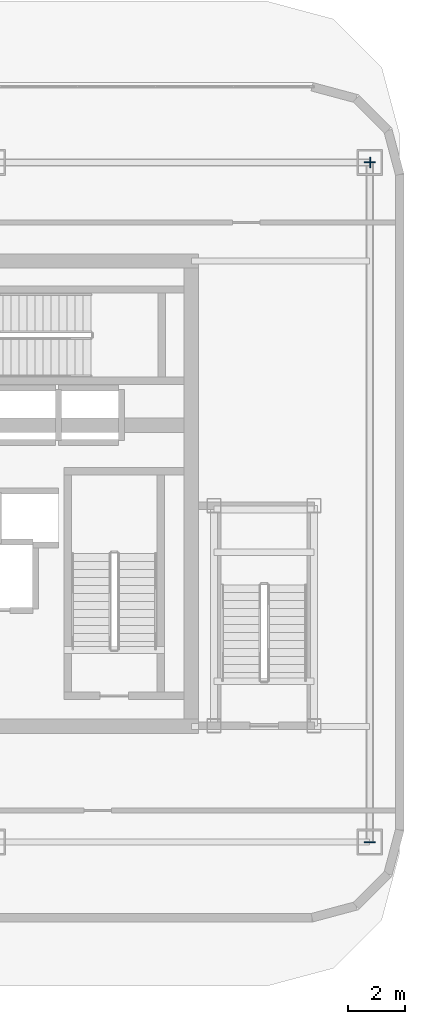
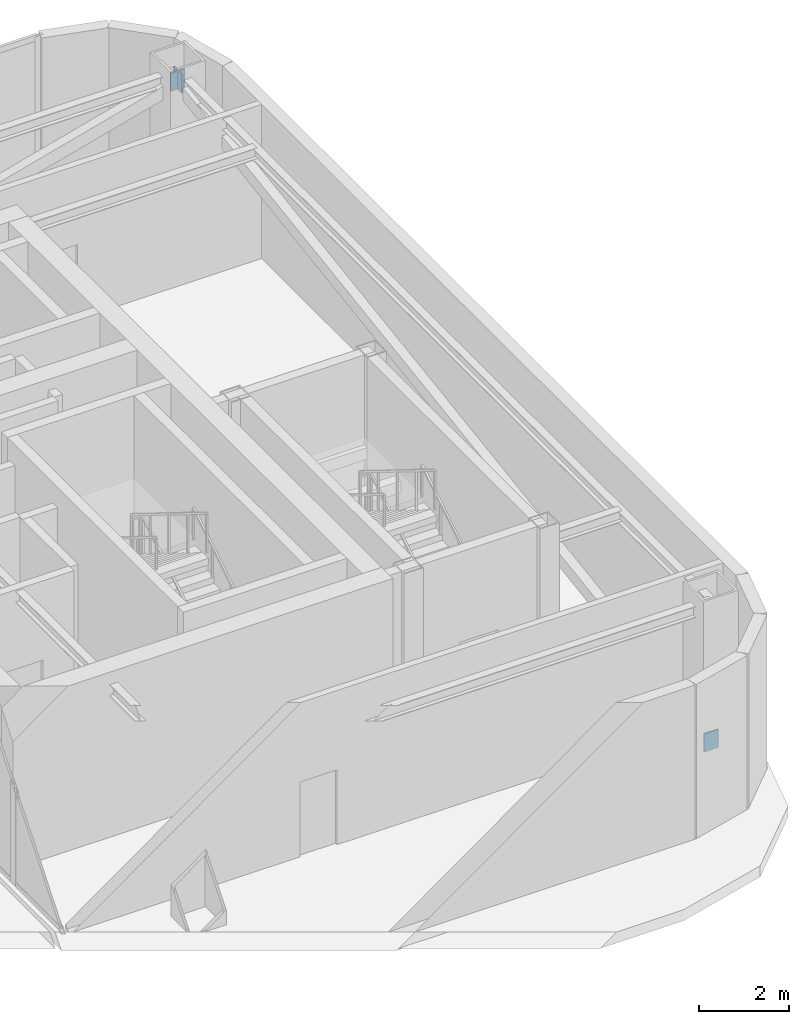
# One storey, part 10 of 14: 3 plates.
"""IFC4 building model written with IfcOpenShell, lengths in metres."""

from ifc_helpers import new_model, si_unit, direction, frame, origin, origin_2d, place, context, subcontext, project, spatial, rectangle, extrude, material, layer, layer_set, type_object, element, save


model = new_model("IFC4")

# Units and contexts
model_context = context("Model", 3, precision=1e-05, world=origin(), true_north=direction((0.0, 1.0)))
body_context = subcontext(model_context, "Body", "Model", "MODEL_VIEW")
ifc_project = project(units=[si_unit("LENGTHUNIT", "METRE"), si_unit("AREAUNIT", "SQUARE_METRE"), si_unit("VOLUMEUNIT", "CUBIC_METRE"), si_unit("PLANEANGLEUNIT", "RADIAN"), si_unit("MASSUNIT", "GRAM", prefix="KILO")], contexts=[model_context])

# Site, building, storey
site_placement = place(None, origin())
site = spatial("IfcSite", under=ifc_project, at=site_placement, CompositionType="ELEMENT")
building_placement = place(site_placement, origin())
building = spatial("IfcBuilding", under=site, at=building_placement, Name="Kiyonajd Concourse Tower", CompositionType="ELEMENT")
storey_placement = place(building_placement, frame((0.0, 0.0, 354.89990234375)))
storey = spatial("IfcBuildingStorey", under=building, at=storey_placement, Name="L89", CompositionType="ELEMENT", Elevation=354.89990234375)

# Plates
ifc_material = material(Name="Steel ASTM A572 Grade 50", Category="steel")
ifc_layer = layer(ifc_material, 0.028076171875)
ifc_layer_set = layer_set([ifc_layer], Name="Steel ASTM A572 Grade 50")
plate_type = type_object("IfcPlateType", Name="PL-CAP-450", PredefinedType="USERDEFINED", material=ifc_layer_set)
plate_placement = place(storey_placement, frame((69.610595703125, 47.60009765625, 3.60205078125), z_axis=(0.0, 0.0, 1.0), x_axis=(1.0, 0.0, 0.0)))
element("IfcPlate", 1, at=plate_placement, inside=storey, type_object=plate_type, Name="L89 Crown Wind Brace Cap", ObjectType="CAP PLATE", PredefinedType="USERDEFINED", context=body_context, shape_type="SweptSolid", body=[
    extrude(rectangle(XDim=0.035888671875, YDim=0.3701171875, at=origin_2d()), origin(), (0.0, 0.0, 1.0), 0.501953125),
])
for number, where, z_axis, x_axis, name in (
    (2, (69.60009765625, 23.7890625, 0.0517578125), (0.0, 0.0, 1.0), (0.0, -1.0, 0.0), "L89 Crown Wind Brace Cap"),
    (3, (69.60009765625, 47.61083984375, 3.60498046875), (0.0, 0.0, 1.0), (0.0, 1.0, 0.0), "L89 Crown Wind Brace Cap"),
):
    element("IfcPlate", number, at=place(storey_placement, frame(where, z_axis=z_axis, x_axis=x_axis)), inside=storey, type_object=plate_type, Name=name, ObjectType="CAP PLATE", PredefinedType="USERDEFINED", context=body_context, shape_type="SweptSolid", body=[
        extrude(rectangle(XDim=0.035888671875, YDim=0.3701171875, at=origin_2d()), origin(), (0.0, 0.0, 1.0), 0.493896484375),
    ])

save(model, "model.ifc")
